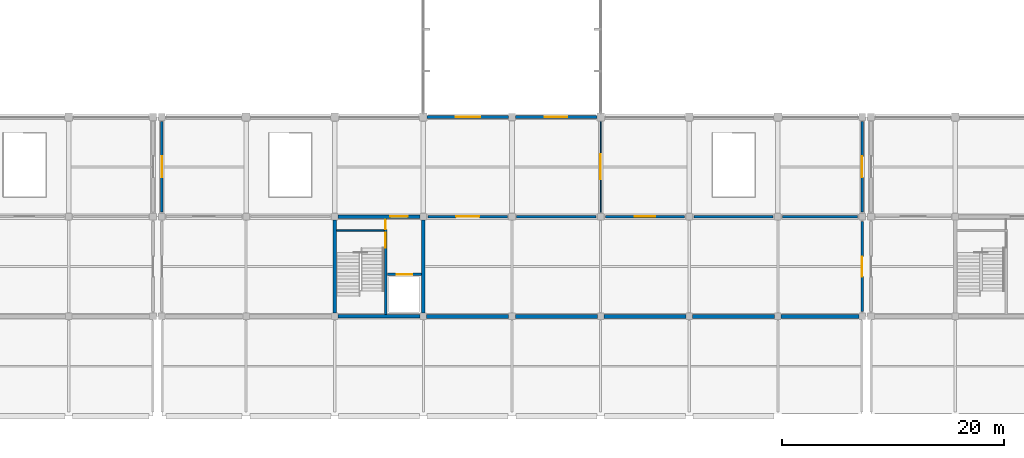
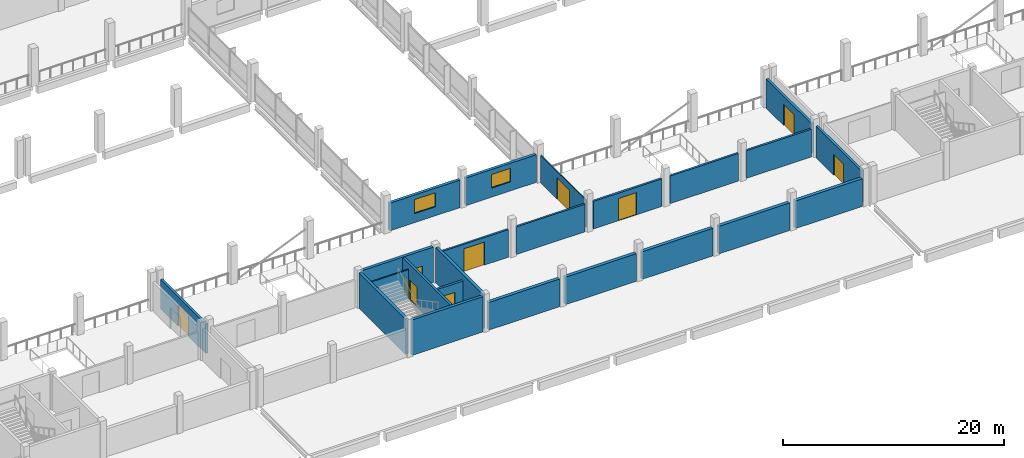
# One storey, part 42 of 57: 23 walls, 10 doors, 2 windows, 12 openings.
"""IFC4 building model written with IfcOpenShell, lengths in metres."""

from ifc_helpers import new_model, si_unit, direction, frame, frame_2d, origin, place, context, subcontext, project, spatial, rectangle, extrude, material, layer, layer_set, type_object, element, fill, save


model = new_model("IFC4")

# Units and contexts
model_context = context("Model", 3, precision=1e-05, world=origin(), true_north=direction((0.0, 1.0)))
body_context = subcontext(model_context, "Body", "Model", "MODEL_VIEW")
ifc_project = project(units=[si_unit("LENGTHUNIT", "METRE"), si_unit("AREAUNIT", "SQUARE_METRE"), si_unit("VOLUMEUNIT", "CUBIC_METRE"), si_unit("PLANEANGLEUNIT", "RADIAN"), si_unit("MASSUNIT", "GRAM", prefix="KILO"), si_unit("THERMODYNAMICTEMPERATUREUNIT", "KELVIN"), si_unit("POWERUNIT", "WATT")], contexts=[model_context])

# Site, building, storey
site_placement = place(None, origin())
site = spatial("IfcSite", under=ifc_project, at=site_placement, CompositionType="ELEMENT")
building_placement = place(site_placement, origin())
building = spatial("IfcBuilding", under=site, at=building_placement, Name="Kronsvod Quay Wholesale Market", CompositionType="ELEMENT")
storey_placement = place(building_placement, frame((0.0, 0.0, 4.800048828125)))
storey = spatial("IfcBuildingStorey", under=building, at=storey_placement, Name="L01", CompositionType="ELEMENT", Elevation=4.800048828125)

# Wall, opening, door
ifc_material_1 = material(Name="Polyisocyanurate insulated cold-room panel")
ifc_layer_1 = layer(ifc_material_1, 0.195068359375)
ifc_layer_set_1 = layer_set([ifc_layer_1], Name="Polyisocyanurate insulated cold-room panel")
wall_type_1 = type_object("IfcWallType", Name="Wall_ColdInsul195", PredefinedType="PARTITIONING", material=ifc_layer_set_1)
wall_1_placement = place(storey_placement, frame((88.419921875, 45.0, 0.0), z_axis=(0.0, 0.0, 1.0), x_axis=(1.0, 0.0, 0.0)))
wall_1 = element("IfcWall", 1, at=wall_1_placement, inside=storey, type_object=wall_type_1, Name="PW-L01-0039", PredefinedType="PARTITIONING", context=body_context, shape_type="SweptSolid", body=[
    extrude(rectangle(XDim=7.16015625, YDim=0.195068359375, at=frame_2d((3.580078125, 0.0))), origin(), (0.0, 0.0, 1.0), 3.050048828125),
])
opening_1_placement = place(wall_1_placement, frame((2.530029296875, 0.0, 0.0)))
opening_1 = element("IfcOpeningElement", 2, at=opening_1_placement, cuts=wall_1, Name="Opening D-0234", PredefinedType="OPENING", context=body_context, shape_type="SweptSolid", body=[
    extrude(rectangle(XDim=2.10009765625, YDim=2.550048828125, at=frame_2d((1.050048828125, 1.27490234375))), frame((0.0, 0.107421875, 0.0), z_axis=(0.0, -1.0, 0.0), x_axis=(1.0, 0.0, 0.0)), (0.0, 0.0, 1.0), 0.215087890625),
])
ifc_material_2 = material(Name="Insulated stainless cold-store door", Category="steel")
door_type_1 = type_object("IfcDoorType", Name="Door_ColdSlide210x255", OperationType="SLIDING_TO_RIGHT", PredefinedType="DOOR", material=ifc_material_2)
door_1_placement = place(opening_1_placement, origin())
door_1 = element("IfcDoor", 3, at=door_1_placement, inside=storey, type_object=door_type_1, Name="Interior Door D-0234", OperationType="SLIDING_TO_LEFT", OverallHeight=2.550048828125, OverallWidth=2.10009765625, PredefinedType="DOOR", context=body_context, shape_type="SweptSolid", body=[
    extrude(rectangle(XDim=2.10009765625, YDim=2.550048828125, at=frame_2d((1.050048828125, 1.27490234375))), frame((0.0, 0.02490234375, 0.0), z_axis=(0.0, -1.0, 0.0), x_axis=(1.0, 0.0, 0.0)), (0.0, 0.0, 1.0), 0.050048828125),
])
fill(opening_1, door_1)

# Wall
wall_2_placement = place(storey_placement, frame((96.419921875, 45.0, 0.0), z_axis=(0.0, 0.0, 1.0), x_axis=(1.0, 0.0, 0.0)))
element("IfcWall", 4, at=wall_2_placement, inside=storey, type_object=wall_type_1, Name="PW-L01-0040", PredefinedType="PARTITIONING", context=body_context, shape_type="SweptSolid", body=[
    extrude(rectangle(XDim=7.16015625, YDim=0.195068359375, at=frame_2d((3.580078125, 0.0))), origin(), (0.0, 0.0, 1.0), 3.050048828125),
])

# Wall, opening, door
ifc_material_3 = material(Name="Polyisocyanurate insulated cold-room panel")
ifc_layer_2 = layer(ifc_material_3, 0.2099609375)
ifc_layer_set_2 = layer_set([ifc_layer_2], Name="Polyisocyanurate insulated cold-room panel")
wall_type_2 = type_object("IfcWallType", Name="Wall_ColdInsul210", PredefinedType="PARTITIONING", material=ifc_layer_set_2)
wall_3_placement = place(storey_placement, frame((104.419921875, 45.0, 0.0), z_axis=(0.0, 0.0, 1.0), x_axis=(1.0, 0.0, 0.0)))
wall_3 = element("IfcWall", 5, at=wall_3_placement, inside=storey, type_object=wall_type_2, Name="PW-L01-0041", PredefinedType="PARTITIONING", context=body_context, shape_type="SweptSolid", body=[
    extrude(rectangle(XDim=7.16015625, YDim=0.2099609375, at=frame_2d((3.580078125, 0.0))), origin(), (0.0, 0.0, 1.0), 3.050048828125),
])
opening_2_placement = place(wall_3_placement, frame((2.655029296875, 0.0, 0.0)))
opening_2 = element("IfcOpeningElement", 6, at=opening_2_placement, cuts=wall_3, Name="Opening D-0235", PredefinedType="OPENING", context=body_context, shape_type="SweptSolid", body=[
    extrude(rectangle(XDim=1.85009765625, YDim=2.449951171875, at=frame_2d((0.925048828125, 1.22509765625))), frame((0.0, 0.114990234375, 0.0), z_axis=(0.0, -1.0, 0.0), x_axis=(1.0, 0.0, 0.0)), (0.0, 0.0, 1.0), 0.22998046875),
])
ifc_material_4 = material(Name="Insulated stainless cold-store door", Category="steel")
door_type_2 = type_object("IfcDoorType", Name="Door_ColdSlide185x245", OperationType="SLIDING_TO_LEFT", PredefinedType="DOOR", material=ifc_material_4)
door_2_placement = place(opening_2_placement, origin())
door_2 = element("IfcDoor", 7, at=door_2_placement, inside=storey, type_object=door_type_2, Name="Interior Door D-0235", OperationType="SLIDING_TO_LEFT", OverallHeight=2.449951171875, OverallWidth=1.85009765625, PredefinedType="DOOR", context=body_context, shape_type="SweptSolid", body=[
    extrude(rectangle(XDim=1.85009765625, YDim=2.449951171875, at=frame_2d((0.925048828125, 1.22509765625))), frame((0.0, 0.02490234375, 0.0), z_axis=(0.0, -1.0, 0.0), x_axis=(1.0, 0.0, 0.0)), (0.0, 0.0, 1.0), 0.050048828125),
])
fill(opening_2, door_2)

# Walls
wall_4_placement = place(storey_placement, frame((112.419921875, 45.0, 0.0), z_axis=(0.0, 0.0, 1.0), x_axis=(1.0, 0.0, 0.0)))
element("IfcWall", 8, at=wall_4_placement, inside=storey, type_object=wall_type_2, Name="PW-L01-0042", PredefinedType="PARTITIONING", context=body_context, shape_type="SweptSolid", body=[
    extrude(rectangle(XDim=7.16015625, YDim=0.2099609375, at=frame_2d((3.580078125, 0.0))), origin(), (0.0, 0.0, 1.0), 3.050048828125),
])
wall_5_placement = place(storey_placement, frame((120.419921875, 45.0, 0.0), z_axis=(0.0, 0.0, 1.0), x_axis=(1.0, 0.0, 0.0)))
element("IfcWall", 9, at=wall_5_placement, inside=storey, type_object=wall_type_2, Name="PW-L01-0043", PredefinedType="PARTITIONING", context=body_context, shape_type="SweptSolid", body=[
    extrude(rectangle(XDim=6.760009765625, YDim=0.2099609375, at=frame_2d((3.3798828125, 0.0))), origin(), (0.0, 0.0, 1.0), 3.050048828125),
])
ifc_material_5 = material(Name="Concrete C35/45", Category="concrete")
ifc_layer_3 = layer(ifc_material_5, 0.300048828125)
ifc_layer_set_3 = layer_set([ifc_layer_3], Name="Concrete C35/45")
wall_type_3 = type_object("IfcWallType", Name="Wall_CoreShear300", PredefinedType="SHEAR", material=ifc_layer_set_3)
wall_6_placement = place(storey_placement, frame((80.294921875, 36.0, 0.0), z_axis=(0.0, 0.0, 1.0), x_axis=(1.0, 0.0, 0.0)))
element("IfcWall", 10, at=wall_6_placement, inside=storey, type_object=wall_type_3, Name="CW-C04-L01-S", PredefinedType="SHEAR", context=body_context, shape_type="SweptSolid", body=[
    extrude(rectangle(XDim=7.41015625, YDim=0.300048828125, at=frame_2d((3.705078125, 0.0))), origin(), (0.0, 0.0, 1.0), 3.905029296875),
])

# Wall, opening, door
wall_7_placement = place(storey_placement, frame((80.294921875, 45.0, 0.0), z_axis=(0.0, 0.0, 1.0), x_axis=(1.0, 0.0, 0.0)))
wall_7 = element("IfcWall", 11, at=wall_7_placement, inside=storey, type_object=wall_type_3, Name="CW-C04-L01-N", PredefinedType="SHEAR", context=body_context, shape_type="SweptSolid", body=[
    extrude(rectangle(XDim=7.41015625, YDim=0.300048828125, at=frame_2d((3.705078125, 0.0))), origin(), (0.0, 0.0, 1.0), 3.905029296875),
])
opening_3_placement = place(wall_7_placement, frame((4.699951171875, 0.0, 0.0)))
opening_3 = element("IfcOpeningElement", 12, at=opening_3_placement, cuts=wall_7, Name="Opening D-0039", PredefinedType="OPENING", context=body_context, shape_type="SweptSolid", body=[
    extrude(rectangle(XDim=1.60009765625, YDim=2.199951171875, at=frame_2d((0.800048828125, 1.10009765625))), frame((0.0, 0.16015625, 0.0), z_axis=(0.0, -1.0, 0.0), x_axis=(1.0, 0.0, 0.0)), (0.0, 0.0, 1.0), 0.320068359375),
])
ifc_material_6 = material(Name="Painted galvanized fire steel", Category="steel")
door_type_3 = type_object("IfcDoorType", Name="Door_FireLobby160x220", OperationType="DOUBLE_DOOR_SINGLE_SWING", PredefinedType="DOOR", material=ifc_material_6)
door_3_placement = place(opening_3_placement, origin())
door_3 = element("IfcDoor", 13, at=door_3_placement, inside=storey, type_object=door_type_3, Name="Core Lobby Door D-0039", OperationType="DOUBLE_DOOR_SINGLE_SWING", OverallHeight=2.199951171875, OverallWidth=1.60009765625, PredefinedType="DOOR", context=body_context, shape_type="SweptSolid", body=[
    extrude(rectangle(XDim=1.60009765625, YDim=2.199951171875, at=frame_2d((0.800048828125, 1.10009765625))), frame((0.0, 0.02490234375, 0.0), z_axis=(0.0, -1.0, 0.0), x_axis=(1.0, 0.0, 0.0)), (0.0, 0.0, 1.0), 0.050048828125),
])
fill(opening_3, door_3)

# Walls
for number, where, z_axis, x_axis, name in (
    (14, (80.0, 36.294921875, 0.0), (0.0, 0.0, 1.0), (0.0, 1.0, 0.0), "CW-C04-L01-W"),
    (15, (88.0, 36.294921875, 0.0), (0.0, 0.0, 1.0), (0.0, 1.0, 0.0), "CW-C04-L01-E"),
):
    element("IfcWall", number, at=place(storey_placement, frame(where, z_axis=z_axis, x_axis=x_axis)), inside=storey, type_object=wall_type_3, Name=name, PredefinedType="SHEAR", context=body_context, shape_type="SweptSolid", body=[
        extrude(rectangle(XDim=8.41015625, YDim=0.300048828125, at=frame_2d((4.205078125, 0.0))), origin(), (0.0, 0.0, 1.0), 3.905029296875),
    ])
ifc_material_7 = material(Name="Precast concrete C40/50", Category="concrete")
ifc_layer_4 = layer(ifc_material_7, 0.340087890625)
ifc_layer_set_4 = layer_set([ifc_layer_4], Name="Precast concrete C40/50")
wall_type_4 = type_object("IfcWallType", Name="Wall_ExtColdSandwich340", PredefinedType="SOLIDWALL", material=ifc_layer_set_4)
for number, where, z_axis, x_axis, name in (
    (16, (88.294921875, 36.0, 0.0), (0.0, 0.0, 1.0), (1.0, 0.0, 0.0), "EW-X-L01-0118"),
    (17, (96.294921875, 36.0, 0.0), (0.0, 0.0, 1.0), (1.0, 0.0, 0.0), "EW-X-L01-0119"),
    (18, (104.294921875, 36.0, 0.0), (0.0, 0.0, 1.0), (1.0, 0.0, 0.0), "EW-X-L01-0120"),
    (19, (112.294921875, 36.0, 0.0), (0.0, 0.0, 1.0), (1.0, 0.0, 0.0), "EW-X-L01-0121"),
):
    element("IfcWall", number, at=place(storey_placement, frame(where, z_axis=z_axis, x_axis=x_axis)), inside=storey, type_object=wall_type_4, Name=name, PredefinedType="SOLIDWALL", context=body_context, shape_type="SweptSolid", body=[
        extrude(rectangle(XDim=7.41015625, YDim=0.340087890625, at=frame_2d((3.705078125, 0.0))), origin(), (0.0, 0.0, 1.0), 3.050048828125),
    ])
wall_8_placement = place(storey_placement, frame((120.294921875, 36.0, 0.0), z_axis=(0.0, 0.0, 1.0), x_axis=(1.0, 0.0, 0.0)))
element("IfcWall", 20, at=wall_8_placement, inside=storey, type_object=wall_type_4, Name="EW-X-L01-0122", PredefinedType="SOLIDWALL", context=body_context, shape_type="SweptSolid", body=[
    extrude(rectangle(XDim=7.010009765625, YDim=0.340087890625, at=frame_2d((3.5048828125, 0.0))), origin(), (0.0, 0.0, 1.0), 3.050048828125),
])

# Wall, opening, window
ifc_material_8 = material(Name="Precast concrete C40/50", Category="concrete")
ifc_layer_5 = layer(ifc_material_8, 0.300048828125)
ifc_layer_set_5 = layer_set([ifc_layer_5], Name="Precast concrete C40/50")
wall_type_5 = type_object("IfcWallType", Name="Wall_ExtPrecast300", PredefinedType="SOLIDWALL", material=ifc_layer_set_5)
wall_9_placement = place(storey_placement, frame((95.705078125, 54.0, 0.0), z_axis=(0.0, 0.0, 1.0), x_axis=(-1.0, 0.0, 0.0)))
wall_9 = element("IfcWall", 21, at=wall_9_placement, inside=storey, type_object=wall_type_5, Name="EW-X-L01-0123", PredefinedType="SOLIDWALL", context=body_context, shape_type="SweptSolid", body=[
    extrude(rectangle(XDim=7.360107421875, YDim=0.300048828125, at=frame_2d((3.68017578125, 0.0))), origin(), (0.0, 0.0, 1.0), 3.050048828125),
])
opening_4_placement = place(wall_9_placement, frame((2.580078125, 0.0, 1.0)))
opening_4 = element("IfcOpeningElement", 22, at=opening_4_placement, cuts=wall_9, Name="Opening WIN-08", PredefinedType="OPENING", context=body_context, shape_type="SweptSolid", body=[
    extrude(rectangle(XDim=2.199951171875, YDim=1.550048828125, at=frame_2d((1.10009765625, 0.77490234375))), frame((0.0, 0.16015625, 0.0), z_axis=(0.0, -1.0, 0.0), x_axis=(1.0, 0.0, 0.0)), (0.0, 0.0, 1.0), 0.320068359375),
])
ifc_material_9 = material(Name="Thermally broken aluminium and triple low-E glazing", Category="aluminium")
window_type_1 = type_object("IfcWindowType", Name="Win_W08", PartitioningType="DOUBLE_PANEL_VERTICAL", PredefinedType="WINDOW", material=ifc_material_9)
window_1_placement = place(opening_4_placement, origin())
window_1 = element("IfcWindow", 23, at=window_1_placement, inside=storey, type_object=window_type_1, Name="WIN-L01-0008", OverallHeight=1.550048828125, OverallWidth=2.199951171875, PartitioningType="SINGLE_PANEL", PredefinedType="WINDOW", context=body_context, shape_type="SweptSolid", body=[
    extrude(rectangle(XDim=2.199951171875, YDim=1.550048828125, at=frame_2d((1.10009765625, 0.77490234375))), frame((0.0, 0.030029296875, 0.0), z_axis=(0.0, -1.0, 0.0), x_axis=(1.0, 0.0, 0.0)), (0.0, 0.0, 1.0), 0.06005859375),
])
fill(opening_4, window_1)

wall_10_placement = place(storey_placement, frame((103.655029296875, 54.0, 0.0), z_axis=(0.0, 0.0, 1.0), x_axis=(-1.0, 0.0, 0.0)))
wall_10 = element("IfcWall", 24, at=wall_10_placement, inside=storey, type_object=wall_type_5, Name="EW-X-L01-0124", PredefinedType="SOLIDWALL", context=body_context, shape_type="SweptSolid", body=[
    extrude(rectangle(XDim=7.360107421875, YDim=0.300048828125, at=frame_2d((3.68017578125, 0.0))), origin(), (0.0, 0.0, 1.0), 3.050048828125),
])
opening_5_placement = place(wall_10_placement, frame((2.679931640625, 0.0, 1.0)))
opening_5 = element("IfcOpeningElement", 25, at=opening_5_placement, cuts=wall_10, Name="Opening WIN-09", PredefinedType="OPENING", context=body_context, shape_type="SweptSolid", body=[
    extrude(rectangle(XDim=2.0, YDim=1.5, at=frame_2d((1.0, 0.75))), frame((0.0, 0.16015625, 0.0), z_axis=(0.0, -1.0, 0.0), x_axis=(1.0, 0.0, 0.0)), (0.0, 0.0, 1.0), 0.320068359375),
])
ifc_material_10 = material(Name="Thermally broken aluminium and triple low-E glazing", Category="aluminium")
window_type_2 = type_object("IfcWindowType", Name="Win_W09", PartitioningType="DOUBLE_PANEL_VERTICAL", PredefinedType="WINDOW", material=ifc_material_10)
window_2_placement = place(opening_5_placement, origin())
window_2 = element("IfcWindow", 26, at=window_2_placement, inside=storey, type_object=window_type_2, Name="WIN-L01-0009", OverallHeight=1.5, OverallWidth=2.0, PartitioningType="SINGLE_PANEL", PredefinedType="WINDOW", context=body_context, shape_type="SweptSolid", body=[
    extrude(rectangle(XDim=2.0, YDim=1.5, at=frame_2d((1.0, 0.75))), frame((0.0, 0.030029296875, 0.0), z_axis=(0.0, -1.0, 0.0), x_axis=(1.0, 0.0, 0.0)), (0.0, 0.0, 1.0), 0.06005859375),
])
fill(opening_5, window_2)

# Wall, opening, door
ifc_material_11 = material(Name="Precast concrete C40/50", Category="concrete")
ifc_layer_6 = layer(ifc_material_11, 0.239990234375)
ifc_layer_set_6 = layer_set([ifc_layer_6], Name="Precast concrete C40/50")
wall_type_6 = type_object("IfcWallType", Name="Wall_ExtSpandrel240", PredefinedType="SOLIDWALL", material=ifc_layer_set_6)
wall_11_placement = place(storey_placement, frame((64.39990234375, 45.419921875, 0.0), z_axis=(0.0, 0.0, 1.0), x_axis=(0.0, 1.0, 0.0)))
wall_11 = element("IfcWall", 27, at=wall_11_placement, inside=storey, type_object=wall_type_6, Name="MJWG-L01-644-450", PredefinedType="SOLIDWALL", context=body_context, shape_type="SweptSolid", body=[
    extrude(rectangle(XDim=8.16015625, YDim=0.239990234375, at=frame_2d((4.080078125, 0.0))), origin(), (0.0, 0.0, 1.0), 3.239990234375),
])
opening_6_placement = place(wall_11_placement, frame((3.1298828125, 0.0, 0.0)))
opening_6 = element("IfcOpeningElement", 28, at=opening_6_placement, cuts=wall_11, Name="Opening D-0357", PredefinedType="OPENING", context=body_context, shape_type="SweptSolid", body=[
    extrude(rectangle(XDim=1.89990234375, YDim=2.35009765625, at=frame_2d((0.949951171875, 1.175048828125))), frame((0.0, 0.1298828125, 0.0), z_axis=(0.0, -1.0, 0.0), x_axis=(1.0, 0.0, 0.0)), (0.0, 0.0, 1.0), 0.260009765625),
])
ifc_material_12 = material(Name="Painted galvanized fire steel", Category="steel")
door_type_4 = type_object("IfcDoorType", Name="Door_FireComp190x235", OperationType="DOUBLE_DOOR_SINGLE_SWING", PredefinedType="DOOR", material=ifc_material_12)
door_4_placement = place(opening_6_placement, origin())
door_4 = element("IfcDoor", 29, at=door_4_placement, inside=storey, type_object=door_type_4, Name="Fire Compartment Door D-0357", OperationType="DOUBLE_DOOR_SINGLE_SWING", OverallHeight=2.35009765625, OverallWidth=1.89990234375, PredefinedType="DOOR", context=body_context, shape_type="SweptSolid", body=[
    extrude(rectangle(XDim=1.89990234375, YDim=2.35009765625, at=frame_2d((0.949951171875, 1.175048828125))), frame((0.0, 0.02490234375, 0.0), z_axis=(0.0, -1.0, 0.0), x_axis=(1.0, 0.0, 0.0)), (0.0, 0.0, 1.0), 0.050048828125),
])
fill(opening_6, door_4)

wall_12_placement = place(storey_placement, frame((127.60009765625, 36.419921875, 0.0), z_axis=(0.0, 0.0, 1.0), x_axis=(0.0, 1.0, 0.0)))
wall_12 = element("IfcWall", 30, at=wall_12_placement, inside=storey, type_object=wall_type_6, Name="MJWG-L01-1276-360", PredefinedType="SOLIDWALL", context=body_context, shape_type="SweptSolid", body=[
    extrude(rectangle(XDim=8.16015625, YDim=0.239990234375, at=frame_2d((4.080078125, 0.0))), origin(), (0.0, 0.0, 1.0), 3.489990234375),
])
opening_7_placement = place(wall_12_placement, frame((3.179931640625, 0.0, 0.0)))
opening_7 = element("IfcOpeningElement", 31, at=opening_7_placement, cuts=wall_12, Name="Opening D-0362", PredefinedType="OPENING", context=body_context, shape_type="SweptSolid", body=[
    extrude(rectangle(XDim=1.800048828125, YDim=2.300048828125, at=frame_2d((0.89990234375, 1.14990234375))), frame((0.0, 0.1298828125, 0.0), z_axis=(0.0, -1.0, 0.0), x_axis=(1.0, 0.0, 0.0)), (0.0, 0.0, 1.0), 0.260009765625),
])
ifc_material_13 = material(Name="Painted galvanized fire steel", Category="steel")
door_type_5 = type_object("IfcDoorType", Name="Door_FireComp180x230", OperationType="DOUBLE_DOOR_SINGLE_SWING", PredefinedType="DOOR", material=ifc_material_13)
door_5_placement = place(opening_7_placement, origin())
door_5 = element("IfcDoor", 32, at=door_5_placement, inside=storey, type_object=door_type_5, Name="Fire Compartment Door D-0362", OperationType="DOUBLE_DOOR_SINGLE_SWING", OverallHeight=2.300048828125, OverallWidth=1.800048828125, PredefinedType="DOOR", context=body_context, shape_type="SweptSolid", body=[
    extrude(rectangle(XDim=1.800048828125, YDim=2.300048828125, at=frame_2d((0.89990234375, 1.14990234375))), frame((0.0, 0.02490234375, 0.0), z_axis=(0.0, -1.0, 0.0), x_axis=(1.0, 0.0, 0.0)), (0.0, 0.0, 1.0), 0.050048828125),
])
fill(opening_7, door_5)

wall_13_placement = place(storey_placement, frame((127.60009765625, 45.419921875, 0.0), z_axis=(0.0, 0.0, 1.0), x_axis=(0.0, 1.0, 0.0)))
wall_13 = element("IfcWall", 33, at=wall_13_placement, inside=storey, type_object=wall_type_6, Name="MJWG-L01-1276-450", PredefinedType="SOLIDWALL", context=body_context, shape_type="SweptSolid", body=[
    extrude(rectangle(XDim=8.16015625, YDim=0.239990234375, at=frame_2d((4.080078125, 0.0))), origin(), (0.0, 0.0, 1.0), 3.239990234375),
])
opening_8_placement = place(wall_13_placement, frame((3.1298828125, 0.0, 0.0)))
opening_8 = element("IfcOpeningElement", 34, at=opening_8_placement, cuts=wall_13, Name="Opening D-0363", PredefinedType="OPENING", context=body_context, shape_type="SweptSolid", body=[
    extrude(rectangle(XDim=1.89990234375, YDim=2.35009765625, at=frame_2d((0.949951171875, 1.175048828125))), frame((0.0, 0.1298828125, 0.0), z_axis=(0.0, -1.0, 0.0), x_axis=(1.0, 0.0, 0.0)), (0.0, 0.0, 1.0), 0.260009765625),
])
door_6_placement = place(opening_8_placement, origin())
door_6 = element("IfcDoor", 35, at=door_6_placement, inside=storey, type_object=door_type_4, Name="Fire Compartment Door D-0363", OperationType="DOUBLE_DOOR_SINGLE_SWING", OverallHeight=2.35009765625, OverallWidth=1.89990234375, PredefinedType="DOOR", context=body_context, shape_type="SweptSolid", body=[
    extrude(rectangle(XDim=1.89990234375, YDim=2.35009765625, at=frame_2d((0.949951171875, 1.175048828125))), frame((0.0, 0.02490234375, 0.0), z_axis=(0.0, -1.0, 0.0), x_axis=(1.0, 0.0, 0.0)), (0.0, 0.0, 1.0), 0.050048828125),
])
fill(opening_8, door_6)

ifc_material_14 = material(Name="Double-glazed gallery screen partition", Category="glass")
ifc_layer_7 = layer(ifc_material_14, 0.10791015625)
ifc_layer_set_7 = layer_set([ifc_layer_7], Name="Double-glazed gallery screen partition")
wall_type_7 = type_object("IfcWallType", Name="Wall_PartGlazed108", PredefinedType="PARTITIONING", material=ifc_layer_set_7)
wall_14_placement = place(storey_placement, frame((104.0, 45.419921875, 0.0), z_axis=(0.0, 0.0, 1.0), x_axis=(0.0, 1.0, 0.0)))
wall_14 = element("IfcWall", 36, at=wall_14_placement, inside=storey, type_object=wall_type_7, Name="PW-L01-0059", PredefinedType="PARTITIONING", context=body_context, shape_type="SweptSolid", body=[
    extrude(rectangle(XDim=8.16015625, YDim=0.10791015625, at=frame_2d((4.080078125, 0.0))), origin(), (0.0, 0.0, 1.0), 3.050048828125),
])
opening_9_placement = place(wall_14_placement, frame((2.955078125, 0.0, 0.0)))
opening_9 = element("IfcOpeningElement", 37, at=opening_9_placement, cuts=wall_14, Name="Opening D-0244", PredefinedType="OPENING", context=body_context, shape_type="SweptSolid", body=[
    extrude(rectangle(XDim=2.25, YDim=2.3798828125, at=frame_2d((1.125, 1.18994140625))), frame((0.0, 0.06396484375, 0.0), z_axis=(0.0, -1.0, 0.0), x_axis=(1.0, 0.0, 0.0)), (0.0, 0.0, 1.0), 0.1279296875),
])
ifc_material_15 = material(Name="Glazed aluminium hall portal", Category="aluminium")
door_type_6 = type_object("IfcDoorType", Name="Door_HallPortal225x238", OperationType="DOUBLE_DOOR_SINGLE_SWING", PredefinedType="DOOR", material=ifc_material_15)
door_7_placement = place(opening_9_placement, origin())
door_7 = element("IfcDoor", 38, at=door_7_placement, inside=storey, type_object=door_type_6, Name="Interior Door D-0244", OperationType="DOUBLE_DOOR_SINGLE_SWING", OverallHeight=2.3798828125, OverallWidth=2.25, PredefinedType="DOOR", context=body_context, shape_type="SweptSolid", body=[
    extrude(rectangle(XDim=2.25, YDim=2.3798828125, at=frame_2d((1.125, 1.18994140625))), frame((0.0, 0.02490234375, 0.0), z_axis=(0.0, -1.0, 0.0), x_axis=(1.0, 0.0, 0.0)), (0.0, 0.0, 1.0), 0.050048828125),
])
fill(opening_9, door_7)

# Wall
ifc_material_16 = material(Name="Fire-rated shaft riser block wall", Category="masonry")
ifc_layer_8 = layer(ifc_material_16, 0.1298828125)
ifc_layer_set_8 = layer_set([ifc_layer_8], Name="Fire-rated shaft riser block wall")
wall_type_8 = type_object("IfcWallType", Name="Wall_PartRiser130", PredefinedType="PARTITIONING", material=ifc_layer_set_8)
wall_15_placement = place(storey_placement, frame((80.179931640625, 43.75, 0.0), z_axis=(0.0, 0.0, 1.0), x_axis=(1.0, 0.0, 0.0)))
element("IfcWall", 39, at=wall_15_placement, inside=storey, type_object=wall_type_8, Name="CW-C04-L01-RSR", PredefinedType="PARTITIONING", context=body_context, shape_type="SweptSolid", body=[
    extrude(rectangle(XDim=4.280029296875, YDim=0.1298828125, at=frame_2d((2.14013671875, 0.0))), origin(), (0.0, 0.0, 1.0), 3.2548828125),
])

# Wall, openings, doors
ifc_material_17 = material(Name="Concrete C35/45", Category="concrete")
ifc_layer_9 = layer(ifc_material_17, 0.239990234375)
ifc_layer_set_9 = layer_set([ifc_layer_9], Name="Concrete C35/45")
wall_type_9 = type_object("IfcWallType", Name="Wall_ShaftWall240", PredefinedType="SHEAR", material=ifc_layer_set_9)
wall_16_placement = place(storey_placement, frame((84.60009765625, 36.179931640625, 0.0), z_axis=(0.0, 0.0, 1.0), x_axis=(0.0, 1.0, 0.0)))
wall_16 = element("IfcWall", 40, at=wall_16_placement, inside=storey, type_object=wall_type_9, Name="CW-C04-L01-DIV", PredefinedType="SHEAR", context=body_context, shape_type="SweptSolid", body=[
    extrude(rectangle(XDim=8.64013671875, YDim=0.239990234375, at=frame_2d((4.320068359375, 0.0))), origin(), (0.0, 0.0, 1.0), 3.905029296875),
])
opening_10_placement = place(wall_16_placement, frame((6.02001953125, 0.0, 0.0)))
opening_10 = element("IfcOpeningElement", 41, at=opening_10_placement, cuts=wall_16, Name="Opening D-0037", PredefinedType="OPENING", context=body_context, shape_type="SweptSolid", body=[
    extrude(rectangle(XDim=1.35009765625, YDim=2.199951171875, at=frame_2d((0.675048828125, 1.10009765625))), frame((0.0, 0.1298828125, 0.0), z_axis=(0.0, -1.0, 0.0), x_axis=(1.0, 0.0, 0.0)), (0.0, 0.0, 1.0), 0.260009765625),
])
opening_11_placement = place(wall_16_placement, frame((7.679931640625, 0.0, 0.0)))
opening_11 = element("IfcOpeningElement", 42, at=opening_11_placement, cuts=wall_16, Name="Opening D-0038", PredefinedType="OPENING", context=body_context, shape_type="SweptSolid", body=[
    extrude(rectangle(XDim=0.8798828125, YDim=2.02001953125, at=frame_2d((0.43994140625, 1.010009765625))), frame((0.0, 0.1298828125, 0.0), z_axis=(0.0, -1.0, 0.0), x_axis=(1.0, 0.0, 0.0)), (0.0, 0.0, 1.0), 0.260009765625),
])
ifc_material_18 = material(Name="Painted galvanized fire steel", Category="steel")
door_type_7 = type_object("IfcDoorType", Name="Door_FireStair135x220", OperationType="NOTDEFINED", PredefinedType="DOOR", material=ifc_material_18)
door_8_placement = place(opening_10_placement, origin())
door_8 = element("IfcDoor", 43, at=door_8_placement, inside=storey, type_object=door_type_7, Name="Stair Fire Door D-0037", OperationType="SINGLE_SWING_LEFT", OverallHeight=2.199951171875, OverallWidth=1.35009765625, PredefinedType="DOOR", context=body_context, shape_type="SweptSolid", body=[
    extrude(rectangle(XDim=1.35009765625, YDim=2.199951171875, at=frame_2d((0.675048828125, 1.10009765625))), frame((0.0, 0.02490234375, 0.0), z_axis=(0.0, -1.0, 0.0), x_axis=(1.0, 0.0, 0.0)), (0.0, 0.0, 1.0), 0.050048828125),
])
fill(opening_10, door_8)
ifc_material_19 = material(Name="Fire-rated steel riser access door", Category="steel")
door_type_8 = type_object("IfcDoorType", Name="Door_Riser88x202", OperationType="NOTDEFINED", PredefinedType="DOOR", material=ifc_material_19)
door_9_placement = place(opening_11_placement, origin())
door_9 = element("IfcDoor", 44, at=door_9_placement, inside=storey, type_object=door_type_8, Name="Service Riser Door D-0038", OperationType="SINGLE_SWING_RIGHT", OverallHeight=2.02001953125, OverallWidth=0.8798828125, PredefinedType="DOOR", context=body_context, shape_type="SweptSolid", body=[
    extrude(rectangle(XDim=0.8798828125, YDim=2.02001953125, at=frame_2d((0.43994140625, 1.010009765625))), frame((0.0, 0.02490234375, 0.0), z_axis=(0.0, -1.0, 0.0), x_axis=(1.0, 0.0, 0.0)), (0.0, 0.0, 1.0), 0.050048828125),
])
fill(opening_11, door_9)

# Wall, opening, door
wall_17_placement = place(storey_placement, frame((84.75, 39.800048828125, 0.0), z_axis=(0.0, 0.0, 1.0), x_axis=(1.0, 0.0, 0.0)))
wall_17 = element("IfcWall", 45, at=wall_17_placement, inside=storey, type_object=wall_type_9, Name="CW-C04-L01-LSH", PredefinedType="SHEAR", context=body_context, shape_type="SweptSolid", body=[
    extrude(rectangle(XDim=3.070068359375, YDim=0.239990234375, at=frame_2d((1.53515625, 0.0))), origin(), (0.0, 0.0, 1.0), 3.2548828125),
])
opening_12_placement = place(wall_17_placement, frame((0.8349609375, 0.0, 0.0)))
opening_12 = element("IfcOpeningElement", 46, at=opening_12_placement, cuts=wall_17, Name="Opening D-0040", PredefinedType="OPENING", context=body_context, shape_type="SweptSolid", body=[
    extrude(rectangle(XDim=1.39990234375, YDim=2.300048828125, at=frame_2d((0.699951171875, 1.14990234375))), frame((0.0, 0.1298828125, 0.0), z_axis=(0.0, -1.0, 0.0), x_axis=(1.0, 0.0, 0.0)), (0.0, 0.0, 1.0), 0.260009765625),
])
ifc_material_20 = material(Name="Brushed stainless steel", Category="steel")
door_type_9 = type_object("IfcDoorType", Name="Door_LiftLandingGoods", OperationType="SLIDING_TO_LEFT", PredefinedType="DOOR", material=ifc_material_20)
door_10_placement = place(opening_12_placement, origin())
door_10 = element("IfcDoor", 47, at=door_10_placement, inside=storey, type_object=door_type_9, Name="Lift Landing Door LFT-G03 L01", OperationType="SLIDING_TO_LEFT", OverallHeight=2.300048828125, OverallWidth=1.39990234375, PredefinedType="DOOR", context=body_context, shape_type="SweptSolid", body=[
    extrude(rectangle(XDim=1.39990234375, YDim=2.300048828125, at=frame_2d((0.699951171875, 1.14990234375))), frame((0.0, 0.02490234375, 0.0), z_axis=(0.0, -1.0, 0.0), x_axis=(1.0, 0.0, 0.0)), (0.0, 0.0, 1.0), 0.050048828125),
])
fill(opening_12, door_10)

save(model, "model.ifc")
